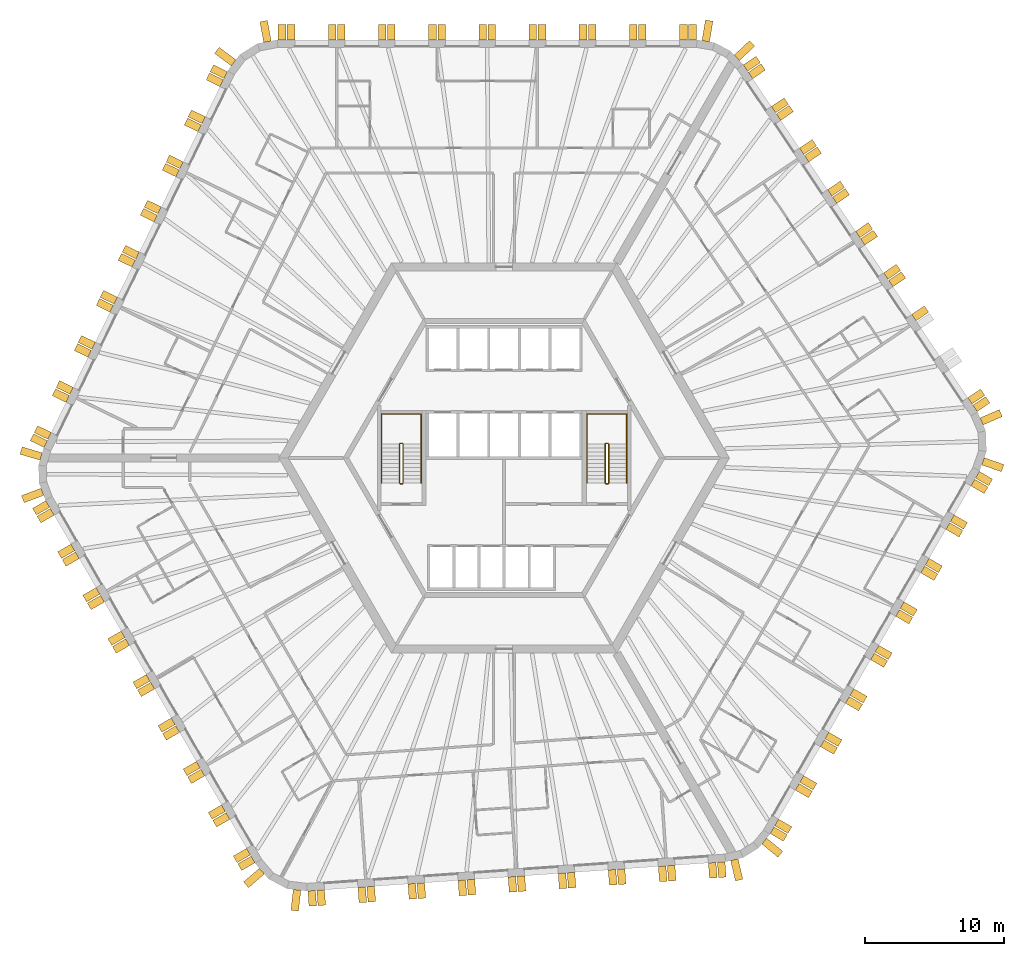
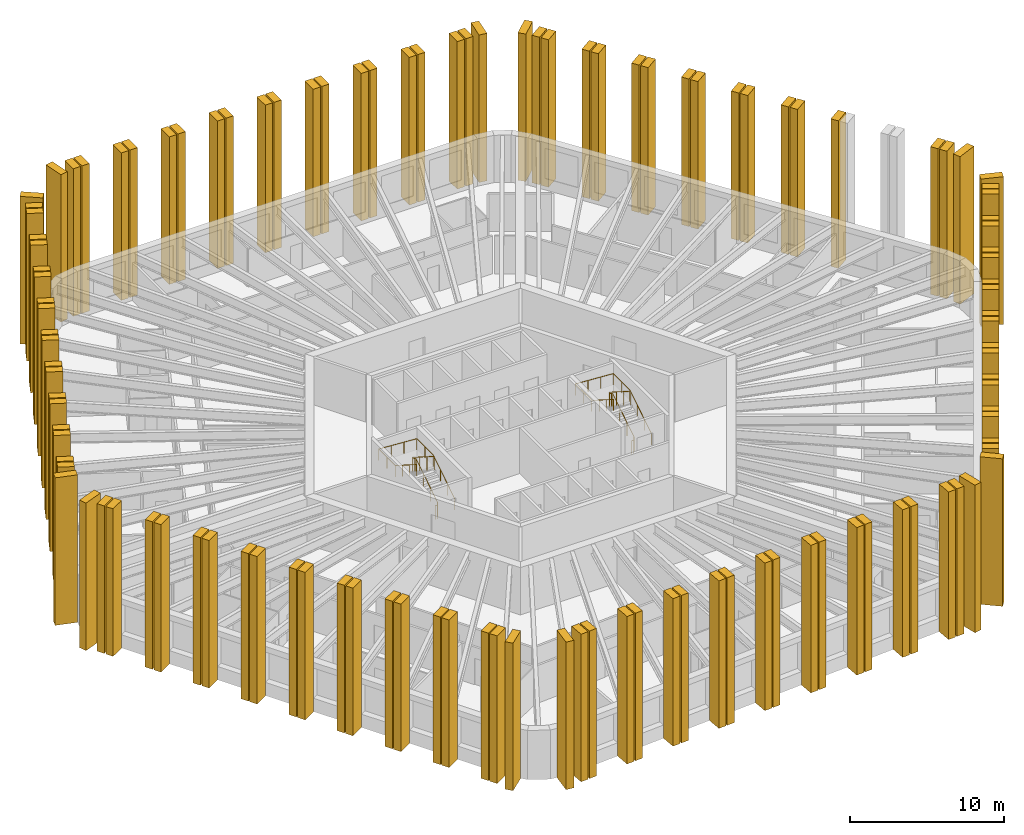
# One storey, part 11 of 12: 117 shading devices, 4 railings.
"""IFC4 building model written with IfcOpenShell, lengths in metres."""

from ifc_helpers import new_model, si_unit, direction, frame, origin, origin_2d, place, context, subcontext, project, spatial, polyline, circle, outline, extrude, material, layer, layer_set, type_object, element, save


model = new_model("IFC4")

# Units and contexts
model_context = context("Model", 3, precision=1e-05, world=origin(), true_north=direction((0.0, 1.0)))
body_context = subcontext(model_context, "Body", "Model", "MODEL_VIEW")
ifc_project = project(units=[si_unit("LENGTHUNIT", "METRE"), si_unit("AREAUNIT", "SQUARE_METRE"), si_unit("VOLUMEUNIT", "CUBIC_METRE"), si_unit("PLANEANGLEUNIT", "RADIAN"), si_unit("MASSUNIT", "GRAM", prefix="KILO")], contexts=[model_context])

# Site, building, storey
site_placement = place(None, origin())
site = spatial("IfcSite", under=ifc_project, at=site_placement, CompositionType="ELEMENT")
building_placement = place(site_placement, origin())
building = spatial("IfcBuilding", under=site, at=building_placement, Name="Tarnside Tower", CompositionType="ELEMENT")
storey_placement = place(building_placement, frame((0.0, 0.0, 99.89990234375)))
storey = spatial("IfcBuildingStorey", under=building, at=storey_placement, Name="L22", CompositionType="ELEMENT", Elevation=99.89990234375)

# Shading devices
ifc_material_1 = material(Name="Concrete C50/60 white precast", Category="concrete")
ifc_layer_1 = layer(ifc_material_1, 0.550048828125)
ifc_layer_set_1 = layer_set([ifc_layer_1], Name="Precast fin 550 x 1100")
shading_device_type_1 = type_object("IfcShadingDeviceType", Name="Precast fin 550 x 1100", PredefinedType="USERDEFINED", material=ifc_layer_set_1)
for number, where, z_axis, x_axis, name in (
    (1, (13.513916015625, 30.0, -0.14990234375), (1.0, 0.0, 0.0), (0.0, 1.0, 0.0), "Precast fin"),
    (2, (12.864013671875, 30.0, -0.14990234375), (1.0, 0.0, 0.0), (0.0, 1.0, 0.0), "Precast fin"),
    (3, (9.9140625, 30.0, -0.14990234375), (1.0, 0.0, 0.0), (0.0, 1.0, 0.0), "Precast fin"),
    (4, (9.263916015625, 30.0, -0.14990234375), (1.0, 0.0, 0.0), (0.0, 1.0, 0.0), "Precast fin"),
    (5, (6.31396484375, 30.0, -0.14990234375), (1.0, 0.0, 0.0), (0.0, 1.0, 0.0), "Precast fin"),
    (6, (5.6640625, 30.0, -0.14990234375), (1.0, 0.0, 0.0), (0.0, 1.0, 0.0), "Precast fin"),
    (7, (2.7138671875, 30.0, -0.14990234375), (1.0, 0.0, 0.0), (0.0, 1.0, 0.0), "Precast fin"),
    (8, (2.06396484375, 30.0, -0.14990234375), (1.0, 0.0, 0.0), (0.0, 1.0, 0.0), "Precast fin"),
    (9, (-0.885986328125, 30.0, -0.14990234375), (1.0, 0.0, 0.0), (0.0, 1.0, 0.0), "Precast fin"),
    (10, (-1.5361328125, 30.0, -0.14990234375), (1.0, 0.0, 0.0), (0.0, 1.0, 0.0), "Precast fin"),
    (11, (-4.486083984375, 30.0, -0.14990234375), (1.0, 0.0, 0.0), (0.0, 1.0, 0.0), "Precast fin"),
    (12, (-5.135986328125, 30.0, -0.14990234375), (1.0, 0.0, 0.0), (0.0, 1.0, 0.0), "Precast fin"),
    (13, (-8.0859375, 30.0, -0.14990234375), (1.0, 0.0, 0.0), (0.0, 1.0, 0.0), "Precast fin"),
    (14, (-8.736083984375, 30.0, -0.14990234375), (1.0, 0.0, 0.0), (0.0, 1.0, 0.0), "Precast fin"),
    (15, (-11.68603515625, 30.0, -0.14990234375), (1.0, 0.0, 0.0), (0.0, 1.0, 0.0), "Precast fin"),
    (16, (-12.3359375, 30.0, -0.14990234375), (1.0, 0.0, 0.0), (0.0, 1.0, 0.0), "Precast fin"),
    (17, (-15.2861328125, 30.0, -0.14990234375), (1.0, 0.0, 0.0), (0.0, 1.0, 0.0), "Precast fin"),
    (18, (-15.93603515625, 30.0, -0.14990234375), (1.0, 0.0, 0.0), (0.0, 1.0, 0.0), "Precast fin"),
    (19, (-19.977783203125, 27.474365234375, -0.14990234375), (0.438371146789, 0.898794046299, 0.0), (-0.898794046299, 0.438371146789, 0.0), "Precast fin"),
    (20, (-20.262939453125, 26.89013671875, -0.14990234375), (0.438371146789, 0.898794046299, 0.0), (-0.898794046299, 0.438371146789, 0.0), "Precast fin"),
    (21, (-21.555908203125, 24.23876953125, -0.14990234375), (0.438371146789, 0.898794046299, 0.0), (-0.898794046299, 0.438371146789, 0.0), "Precast fin"),
    (22, (-21.841064453125, 23.654541015625, -0.14990234375), (0.438371146789, 0.898794046299, 0.0), (-0.898794046299, 0.438371146789, 0.0), "Precast fin"),
    (23, (-23.13427734375, 21.003173828125, -0.14990234375), (0.438371146789, 0.898794046299, 0.0), (-0.898794046299, 0.438371146789, 0.0), "Precast fin"),
    (24, (-23.419189453125, 20.4189453125, -0.14990234375), (0.438371146789, 0.898794046299, 0.0), (-0.898794046299, 0.438371146789, 0.0), "Precast fin"),
    (25, (-24.71240234375, 17.767333984375, -0.14990234375), (0.438371146789, 0.898794046299, 0.0), (-0.898794046299, 0.438371146789, 0.0), "Precast fin"),
    (26, (-24.997314453125, 17.18310546875, -0.14990234375), (0.438371146789, 0.898794046299, 0.0), (-0.898794046299, 0.438371146789, 0.0), "Precast fin"),
    (27, (-26.29052734375, 14.53173828125, -0.14990234375), (0.438371146789, 0.898794046299, 0.0), (-0.898794046299, 0.438371146789, 0.0), "Precast fin"),
    (28, (-26.575439453125, 13.947509765625, -0.14990234375), (0.438371146789, 0.898794046299, 0.0), (-0.898794046299, 0.438371146789, 0.0), "Precast fin"),
    (29, (-27.86865234375, 11.296142578125, -0.14990234375), (0.438371146789, 0.898794046299, 0.0), (-0.898794046299, 0.438371146789, 0.0), "Precast fin"),
    (30, (-28.153564453125, 10.7119140625, -0.14990234375), (0.438371146789, 0.898794046299, 0.0), (-0.898794046299, 0.438371146789, 0.0), "Precast fin"),
    (31, (-29.44677734375, 8.060546875, -0.14990234375), (0.438371146789, 0.898794046299, 0.0), (-0.898794046299, 0.438371146789, 0.0), "Precast fin"),
    (32, (-29.731689453125, 7.476318359375, -0.14990234375), (0.438371146789, 0.898794046299, 0.0), (-0.898794046299, 0.438371146789, 0.0), "Precast fin"),
    (33, (-31.02490234375, 4.82470703125, -0.14990234375), (0.438371146789, 0.898794046299, 0.0), (-0.898794046299, 0.438371146789, 0.0), "Precast fin"),
    (34, (-31.309814453125, 4.240478515625, -0.14990234375), (0.438371146789, 0.898794046299, 0.0), (-0.898794046299, 0.438371146789, 0.0), "Precast fin"),
    (35, (-32.60302734375, 1.589111328125, -0.14990234375), (0.438371146789, 0.898794046299, 0.0), (-0.898794046299, 0.438371146789, 0.0), "Precast fin"),
    (36, (-32.887939453125, 1.0048828125, -0.14990234375), (0.438371146789, 0.898794046299, 0.0), (-0.898794046299, 0.438371146789, 0.0), "Precast fin"),
    (37, (-32.73779296875, -3.296630859375, -0.14990234375), (-0.5, 0.866025403784, 0.0), (-0.866025403784, -0.5, 0.0), "Precast fin"),
    (38, (-32.412841796875, -3.859375, -0.14990234375), (-0.5, 0.866025403784, 0.0), (-0.866025403784, -0.5, 0.0), "Precast fin"),
    (39, (-30.937744140625, -6.414306640625, -0.14990234375), (-0.5, 0.866025403784, 0.0), (-0.866025403784, -0.5, 0.0), "Precast fin"),
    (40, (-30.61279296875, -6.977294921875, -0.14990234375), (-0.5, 0.866025403784, 0.0), (-0.866025403784, -0.5, 0.0), "Precast fin"),
    (41, (-29.1376953125, -9.531982421875, -0.14990234375), (-0.5, 0.866025403784, 0.0), (-0.866025403784, -0.5, 0.0), "Precast fin"),
    (42, (-28.812744140625, -10.094970703125, -0.14990234375), (-0.5, 0.866025403784, 0.0), (-0.866025403784, -0.5, 0.0), "Precast fin"),
    (43, (-27.337646484375, -12.649658203125, -0.14990234375), (-0.5, 0.866025403784, 0.0), (-0.866025403784, -0.5, 0.0), "Precast fin"),
    (44, (-27.0126953125, -13.212646484375, -0.14990234375), (-0.5, 0.866025403784, 0.0), (-0.866025403784, -0.5, 0.0), "Precast fin"),
    (45, (-25.537841796875, -15.767333984375, -0.14990234375), (-0.5, 0.866025403784, 0.0), (-0.866025403784, -0.5, 0.0), "Precast fin"),
    (46, (-25.212646484375, -16.330322265625, -0.14990234375), (-0.5, 0.866025403784, 0.0), (-0.866025403784, -0.5, 0.0), "Precast fin"),
    (47, (-23.73779296875, -18.885009765625, -0.14990234375), (-0.5, 0.866025403784, 0.0), (-0.866025403784, -0.5, 0.0), "Precast fin"),
    (48, (-23.412841796875, -19.447998046875, -0.14990234375), (-0.5, 0.866025403784, 0.0), (-0.866025403784, -0.5, 0.0), "Precast fin"),
    (49, (-21.937744140625, -22.002685546875, -0.14990234375), (-0.5, 0.866025403784, 0.0), (-0.866025403784, -0.5, 0.0), "Precast fin"),
    (50, (-21.61279296875, -22.565673828125, -0.14990234375), (-0.5, 0.866025403784, 0.0), (-0.866025403784, -0.5, 0.0), "Precast fin"),
    (51, (-20.1376953125, -25.120361328125, -0.14990234375), (-0.5, 0.866025403784, 0.0), (-0.866025403784, -0.5, 0.0), "Precast fin"),
    (52, (-19.812744140625, -25.683349609375, -0.14990234375), (-0.5, 0.866025403784, 0.0), (-0.866025403784, -0.5, 0.0), "Precast fin"),
    (53, (-18.337646484375, -28.238037109375, -0.14990234375), (-0.5, 0.866025403784, 0.0), (-0.866025403784, -0.5, 0.0), "Precast fin"),
    (54, (-18.0126953125, -28.801025390625, -0.14990234375), (-0.5, 0.866025403784, 0.0), (-0.866025403784, -0.5, 0.0), "Precast fin"),
    (55, (-13.8046875, -31.03857421875, -0.14990234375), (-0.99756405026, -0.069756473744, 0.0), (0.069756473744, -0.99756405026, 0.0), "Precast fin"),
    (56, (-13.15625, -30.9931640625, -0.14990234375), (-0.99756405026, -0.069756473744, 0.0), (0.069756473744, -0.99756405026, 0.0), "Precast fin"),
    (57, (-10.21337890625, -30.787353515625, -0.14990234375), (-0.99756405026, -0.069756473744, 0.0), (0.069756473744, -0.99756405026, 0.0), "Precast fin"),
    (58, (-9.56494140625, -30.7421875, -0.14990234375), (-0.99756405026, -0.069756473744, 0.0), (0.069756473744, -0.99756405026, 0.0), "Precast fin"),
    (59, (-6.6220703125, -30.536376953125, -0.14990234375), (-0.99756405026, -0.069756473744, 0.0), (0.069756473744, -0.99756405026, 0.0), "Precast fin"),
    (60, (-5.9736328125, -30.490966796875, -0.14990234375), (-0.99756405026, -0.069756473744, 0.0), (0.069756473744, -0.99756405026, 0.0), "Precast fin"),
    (61, (-3.031005859375, -30.28515625, -0.14990234375), (-0.99756405026, -0.069756473744, 0.0), (0.069756473744, -0.99756405026, 0.0), "Precast fin"),
    (62, (-2.382568359375, -30.23974609375, -0.14990234375), (-0.99756405026, -0.069756473744, 0.0), (0.069756473744, -0.99756405026, 0.0), "Precast fin"),
    (63, (0.560302734375, -30.0341796875, -0.14990234375), (-0.99756405026, -0.069756473744, 0.0), (0.069756473744, -0.99756405026, 0.0), "Precast fin"),
    (64, (1.208740234375, -29.98876953125, -0.14990234375), (-0.99756405026, -0.069756473744, 0.0), (0.069756473744, -0.99756405026, 0.0), "Precast fin"),
    (65, (4.151611328125, -29.782958984375, -0.14990234375), (-0.99756405026, -0.069756473744, 0.0), (0.069756473744, -0.99756405026, 0.0), "Precast fin"),
    (66, (4.800048828125, -29.737548828125, -0.14990234375), (-0.99756405026, -0.069756473744, 0.0), (0.069756473744, -0.99756405026, 0.0), "Precast fin"),
    (67, (7.74267578125, -29.53173828125, -0.14990234375), (-0.99756405026, -0.069756473744, 0.0), (0.069756473744, -0.99756405026, 0.0), "Precast fin"),
    (68, (8.39111328125, -29.486572265625, -0.14990234375), (-0.99756405026, -0.069756473744, 0.0), (0.069756473744, -0.99756405026, 0.0), "Precast fin"),
    (69, (11.333984375, -29.28076171875, -0.14990234375), (-0.99756405026, -0.069756473744, 0.0), (0.069756473744, -0.99756405026, 0.0), "Precast fin"),
    (70, (11.982421875, -29.2353515625, -0.14990234375), (-0.99756405026, -0.069756473744, 0.0), (0.069756473744, -0.99756405026, 0.0), "Precast fin"),
    (71, (14.92529296875, -29.029541015625, -0.14990234375), (-0.99756405026, -0.069756473744, 0.0), (0.069756473744, -0.99756405026, 0.0), "Precast fin"),
    (72, (15.57373046875, -28.984130859375, -0.14990234375), (-0.99756405026, -0.069756473744, 0.0), (0.069756473744, -0.99756405026, 0.0), "Precast fin"),
    (73, (19.223876953125, -26.703369140625, -0.14990234375), (-0.5, -0.866025403784, 0.0), (0.866025403784, -0.5, 0.0), "Precast fin"),
    (74, (19.548828125, -26.140625, -0.14990234375), (-0.5, -0.866025403784, 0.0), (0.866025403784, -0.5, 0.0), "Precast fin"),
    (75, (21.023681640625, -23.585693359375, -0.14990234375), (-0.5, -0.866025403784, 0.0), (0.866025403784, -0.5, 0.0), "Precast fin"),
    (76, (21.348876953125, -23.022705078125, -0.14990234375), (-0.5, -0.866025403784, 0.0), (0.866025403784, -0.5, 0.0), "Precast fin"),
    (77, (22.82373046875, -20.468017578125, -0.14990234375), (-0.5, -0.866025403784, 0.0), (0.866025403784, -0.5, 0.0), "Precast fin"),
    (78, (23.148681640625, -19.905029296875, -0.14990234375), (-0.5, -0.866025403784, 0.0), (0.866025403784, -0.5, 0.0), "Precast fin"),
    (79, (24.623779296875, -17.350341796875, -0.14990234375), (-0.5, -0.866025403784, 0.0), (0.866025403784, -0.5, 0.0), "Precast fin"),
    (80, (24.94873046875, -16.787353515625, -0.14990234375), (-0.5, -0.866025403784, 0.0), (0.866025403784, -0.5, 0.0), "Precast fin"),
    (81, (26.423828125, -14.232666015625, -0.14990234375), (-0.5, -0.866025403784, 0.0), (0.866025403784, -0.5, 0.0), "Precast fin"),
    (82, (26.748779296875, -13.669677734375, -0.14990234375), (-0.5, -0.866025403784, 0.0), (0.866025403784, -0.5, 0.0), "Precast fin"),
    (83, (28.223876953125, -11.114990234375, -0.14990234375), (-0.5, -0.866025403784, 0.0), (0.866025403784, -0.5, 0.0), "Precast fin"),
    (84, (28.548828125, -10.552001953125, -0.14990234375), (-0.5, -0.866025403784, 0.0), (0.866025403784, -0.5, 0.0), "Precast fin"),
    (85, (30.023681640625, -7.997314453125, -0.14990234375), (-0.5, -0.866025403784, 0.0), (0.866025403784, -0.5, 0.0), "Precast fin"),
    (86, (30.348876953125, -7.434326171875, -0.14990234375), (-0.5, -0.866025403784, 0.0), (0.866025403784, -0.5, 0.0), "Precast fin"),
    (87, (31.82373046875, -4.879638671875, -0.14990234375), (-0.5, -0.866025403784, 0.0), (0.866025403784, -0.5, 0.0), "Precast fin"),
    (88, (32.148681640625, -4.316650390625, -0.14990234375), (-0.5, -0.866025403784, 0.0), (0.866025403784, -0.5, 0.0), "Precast fin"),
    (89, (33.623779296875, -1.761962890625, -0.14990234375), (-0.5, -0.866025403784, 0.0), (0.866025403784, -0.5, 0.0), "Precast fin"),
    (90, (33.94873046875, -1.198974609375, -0.14990234375), (-0.5, -0.866025403784, 0.0), (0.866025403784, -0.5, 0.0), "Precast fin"),
    (91, (33.782470703125, 3.564208984375, -0.14990234375), (0.559192903471, -0.829037572555, 0.0), (0.829037572555, 0.559192903471, 0.0), "Precast fin"),
    (92, (33.4189453125, 4.10302734375, -0.14990234375), (0.559192903471, -0.829037572555, 0.0), (0.829037572555, 0.559192903471, 0.0), "Precast fin"),
    (93, (29.392822265625, 10.072021484375, -0.14990234375), (0.559192903471, -0.829037572555, 0.0), (0.829037572555, 0.559192903471, 0.0), "Precast fin"),
    (94, (27.7431640625, 12.517822265625, -0.14990234375), (0.559192903471, -0.829037572555, 0.0), (0.829037572555, 0.559192903471, 0.0), "Precast fin"),
    (95, (27.379638671875, 13.056640625, -0.14990234375), (0.559192903471, -0.829037572555, 0.0), (0.829037572555, 0.559192903471, 0.0), "Precast fin"),
    (96, (25.730224609375, 15.502197265625, -0.14990234375), (0.559192903471, -0.829037572555, 0.0), (0.829037572555, 0.559192903471, 0.0), "Precast fin"),
    (97, (25.36669921875, 16.041259765625, -0.14990234375), (0.559192903471, -0.829037572555, 0.0), (0.829037572555, 0.559192903471, 0.0), "Precast fin"),
    (98, (23.717041015625, 18.48681640625, -0.14990234375), (0.559192903471, -0.829037572555, 0.0), (0.829037572555, 0.559192903471, 0.0), "Precast fin"),
    (99, (23.353515625, 19.025634765625, -0.14990234375), (0.559192903471, -0.829037572555, 0.0), (0.829037572555, 0.559192903471, 0.0), "Precast fin"),
    (100, (21.703857421875, 21.471435546875, -0.14990234375), (0.559192903471, -0.829037572555, 0.0), (0.829037572555, 0.559192903471, 0.0), "Precast fin"),
    (101, (21.34033203125, 22.01025390625, -0.14990234375), (0.559192903471, -0.829037572555, 0.0), (0.829037572555, 0.559192903471, 0.0), "Precast fin"),
    (102, (19.69091796875, 24.455810546875, -0.14990234375), (0.559192903471, -0.829037572555, 0.0), (0.829037572555, 0.559192903471, 0.0), "Precast fin"),
    (103, (19.327392578125, 24.994873046875, -0.14990234375), (0.559192903471, -0.829037572555, 0.0), (0.829037572555, 0.559192903471, 0.0), "Precast fin"),
    (104, (17.677734375, 27.4404296875, -0.14990234375), (0.559192903471, -0.829037572555, 0.0), (0.829037572555, 0.559192903471, 0.0), "Precast fin"),
    (105, (17.314208984375, 27.979248046875, -0.14990234375), (0.559192903471, -0.829037572555, 0.0), (0.829037572555, 0.559192903471, 0.0), "Precast fin"),
):
    element("IfcShadingDevice", number, at=place(storey_placement, frame(where, z_axis=z_axis, x_axis=x_axis)), inside=storey, type_object=shading_device_type_1, Name=name, ObjectType="FIN", PredefinedType="USERDEFINED", context=body_context, shape_type="SweptSolid", body=[
        extrude(outline(polyline([(0.0, 0.0), (1.10009765625, 0.0), (1.10009765625, 11.699951171875), (0.0, 11.699951171875), (0.0, 0.0)])), frame((0.0, 0.0, -0.27490234375)), (0.0, 0.0, 1.0), 0.550048828125),
    ])
ifc_layer_2 = layer(ifc_material_1, 0.550048828125)
ifc_layer_set_2 = layer_set([ifc_layer_2], Name="Precast fin 550 x 1500")
shading_device_type_2 = type_object("IfcShadingDeviceType", Name="Precast fin 550 x 1500", PredefinedType="USERDEFINED", material=ifc_layer_set_2)
for number, where, z_axis, x_axis, name in (
    (106, (-16.97509765625, 29.86767578125, -0.14990234375), (0.982720646705, 0.18509492305, 0.0), (-0.18509492305, 0.982720646705, 0.0), "Precast fin"),
    (107, (-19.403564453125, 28.35009765625, -0.14990234375), (0.597158591707, 0.802123192752, 0.0), (-0.802123192752, 0.597158591707, 0.0), "Precast fin"),
    (108, (-33.213623046875, 0.10546875, -0.14990234375), (0.286803232717, 0.957989512314, 0.0), (-0.957989512314, 0.286803232717, 0.0), "Precast fin"),
    (109, (-33.125244140625, -2.422119140625, -0.14990234375), (-0.352930564719, 0.935649515837, 0.0), (-0.935649515837, -0.352930564719, 0.0), "Precast fin"),
    (110, (-17.378662109375, -29.634765625, -0.14990234375), (-0.651657228826, 0.758513583345, 0.0), (-0.758513583345, -0.651657228826, 0.0), "Precast fin"),
    (111, (-14.850341796875, -30.97900390625, -0.14990234375), (-0.993238357741, 0.116092914131, 0.0), (-0.116092914131, -0.993238357741, 0.0), "Precast fin"),
    (112, (16.515625, -28.81640625, -0.14990234375), (-0.973044870581, -0.230615870737, 0.0), (0.230615870737, -0.973044870581, 0.0), "Precast fin"),
    (113, (18.66015625, -27.476318359375, -0.14990234375), (-0.633830967394, -0.773471592738, 0.0), (0.773471592738, -0.633830967394, 0.0), "Precast fin"),
    (114, (34.353759765625, -0.23291015625, -0.14990234375), (-0.331063417879, -0.943608506396, 0.0), (0.943608506396, -0.331063417879, 0.0), "Precast fin"),
    (115, (34.253662109375, 2.62890625, -0.14990234375), (0.396079766034, -0.918216106883, 0.0), (0.918216106883, 0.396079766034, 0.0), "Precast fin"),
    (116, (16.697998046875, 28.711181640625, -0.14990234375), (0.686241637865, -0.727373641577, 0.0), (0.727373641577, 0.686241637865, 0.0), "Precast fin"),
    (117, (14.465087890625, 29.8984375, -0.14990234375), (0.986761532114, -0.1621779231, 0.0), (0.1621779231, 0.986761532114, 0.0), "Precast fin"),
):
    element("IfcShadingDevice", number, at=place(storey_placement, frame(where, z_axis=z_axis, x_axis=x_axis)), inside=storey, type_object=shading_device_type_2, Name=name, ObjectType="FIN", PredefinedType="USERDEFINED", context=body_context, shape_type="SweptSolid", body=[
        extrude(outline(polyline([(0.0, 0.0), (1.5, 0.0), (1.5, 11.699951171875), (0.0, 11.699951171875), (0.0, 0.0)])), frame((0.0, 0.0, -0.27490234375)), (0.0, 0.0, 1.0), 0.550048828125),
    ])

# Railings
ifc_material_2 = material(Name="Stainless steel", Category="steel")
railing_type_1 = type_object("IfcRailingType", Name="Stair guard 1100", PredefinedType="GUARDRAIL", material=ifc_material_2)
railing_1_placement = place(storey_placement, frame((7.300048828125, -1.85009765625, 0.0)))
element("IfcRailing", 118, at=railing_1_placement, inside=storey, type_object=railing_type_1, Name="L22 ST1 stair guard 1", PredefinedType="GUARDRAIL", context=body_context, shape_type="SweptSolid", body=[
    extrude(circle(Radius=0.02392578125, at=origin_2d()), frame((0.0, 0.0, 1.076171875), z_axis=(1.0, 0.0, 0.0), x_axis=(0.0, 1.0, 0.0)), (0.0, 0.0, 1.0), 0.14990234375),
    extrude(circle(Radius=0.02392578125, at=origin_2d()), frame((0.14990234375, 0.0, 1.076171875), z_axis=(0.261922500866, 0.261922500866, 0.928866625022), x_axis=(-0.707106781187, 0.707106781187, 0.0)), (0.0, 0.0, 1.0), 0.191162109375),
    extrude(circle(Radius=0.02392578125, at=origin_2d()), frame((0.199951171875, 0.050048828125, 1.25341796875), z_axis=(0.0, 0.844908973607, 0.534910110503), x_axis=(-1.0, 0.0, 0.0)), (0.0, 0.0, 1.0), 3.31396484375),
    extrude(circle(Radius=0.02392578125, at=origin_2d()), frame((0.199951171875, 2.85009765625, 3.0263671875), z_axis=(-0.707106781187, 0.707106781187, 0.0), x_axis=(-0.707106781187, -0.707106781187, 0.0)), (0.0, 0.0, 1.0), 0.07080078125),
    extrude(circle(Radius=0.02392578125, at=origin_2d()), frame((0.14990234375, 2.900146484375, 3.0263671875), z_axis=(-1.0, 0.0, 0.0), x_axis=(0.0, -1.0, 0.0)), (0.0, 0.0, 1.0), 0.14990234375),
    extrude(circle(Radius=0.02392578125, at=origin_2d()), frame((0.0, 2.900146484375, 3.0263671875), z_axis=(-0.262233686654, -0.262233686654, 0.928691007369), x_axis=(0.707106781187, -0.707106781187, 0.0)), (0.0, 0.0, 1.0), 0.19091796875),
    extrude(circle(Radius=0.02392578125, at=origin_2d()), frame((-0.050048828125, 2.85009765625, 3.20361328125), z_axis=(0.0, -0.844908973607, 0.534910110503), x_axis=(1.0, 0.0, 0.0)), (0.0, 0.0, 1.0), 3.31396484375),
    extrude(circle(Radius=0.02099609375, at=origin_2d()), origin(), (0.0, 0.0, 1.0), 1.052001953125),
    extrude(circle(Radius=0.02099609375, at=origin_2d()), frame((0.14990234375, 0.0, 0.0)), (0.0, 0.0, 1.0), 1.052001953125),
    extrude(circle(Radius=0.02099609375, at=origin_2d()), frame((0.199951171875, 0.050048828125, 0.177490234375)), (0.0, 0.0, 1.0), 1.052001953125),
    extrude(circle(Radius=0.02099609375, at=origin_2d()), frame((0.199951171875, 0.9833984375, 0.768310546875)), (0.0, 0.0, 1.0), 1.052001953125),
    extrude(circle(Radius=0.02099609375, at=origin_2d()), frame((0.199951171875, 1.916748046875, 1.359375)), (0.0, 0.0, 1.0), 1.052001953125),
    extrude(circle(Radius=0.02099609375, at=origin_2d()), frame((0.199951171875, 2.85009765625, 1.9501953125)), (0.0, 0.0, 1.0), 1.052001953125),
    extrude(circle(Radius=0.02099609375, at=origin_2d()), frame((0.14990234375, 2.900146484375, 1.9501953125)), (0.0, 0.0, 1.0), 1.052001953125),
    extrude(circle(Radius=0.02099609375, at=origin_2d()), frame((0.0, 2.900146484375, 1.9501953125)), (0.0, 0.0, 1.0), 1.052001953125),
    extrude(circle(Radius=0.02099609375, at=origin_2d()), frame((-0.050048828125, 2.85009765625, 2.12744140625)), (0.0, 0.0, 1.0), 1.052001953125),
    extrude(circle(Radius=0.02099609375, at=origin_2d()), frame((-0.050048828125, 1.916748046875, 2.71826171875)), (0.0, 0.0, 1.0), 1.052001953125),
    extrude(circle(Radius=0.02099609375, at=origin_2d()), frame((-0.050048828125, 0.9833984375, 3.309326171875)), (0.0, 0.0, 1.0), 1.052001953125),
    extrude(circle(Radius=0.02099609375, at=origin_2d()), frame((-0.050048828125, 0.050048828125, 3.900146484375)), (0.0, 0.0, 1.0), 1.052001953125),
])
railing_2_placement = place(storey_placement, frame((-7.449951171875, -1.85009765625, 0.0)))
element("IfcRailing", 119, at=railing_2_placement, inside=storey, type_object=railing_type_1, Name="L22 ST2 stair guard 1", PredefinedType="GUARDRAIL", context=body_context, shape_type="SweptSolid", body=[
    extrude(circle(Radius=0.02392578125, at=origin_2d()), frame((0.0, 0.0, 1.076171875), z_axis=(1.0, 0.0, 0.0), x_axis=(0.0, 1.0, 0.0)), (0.0, 0.0, 1.0), 0.14990234375),
    extrude(circle(Radius=0.02392578125, at=origin_2d()), frame((0.14990234375, 0.0, 1.076171875), z_axis=(0.261922500866, 0.261922500866, 0.928866625022), x_axis=(-0.707106781187, 0.707106781187, 0.0)), (0.0, 0.0, 1.0), 0.191162109375),
    extrude(circle(Radius=0.02392578125, at=origin_2d()), frame((0.199951171875, 0.050048828125, 1.25341796875), z_axis=(0.0, 0.844908973607, 0.534910110503), x_axis=(-1.0, 0.0, 0.0)), (0.0, 0.0, 1.0), 3.31396484375),
    extrude(circle(Radius=0.02392578125, at=origin_2d()), frame((0.199951171875, 2.85009765625, 3.0263671875), z_axis=(-0.707106781187, 0.707106781187, 0.0), x_axis=(-0.707106781187, -0.707106781187, 0.0)), (0.0, 0.0, 1.0), 0.07080078125),
    extrude(circle(Radius=0.02392578125, at=origin_2d()), frame((0.14990234375, 2.900146484375, 3.0263671875), z_axis=(-1.0, 0.0, 0.0), x_axis=(0.0, -1.0, 0.0)), (0.0, 0.0, 1.0), 0.14990234375),
    extrude(circle(Radius=0.02392578125, at=origin_2d()), frame((0.0, 2.900146484375, 3.0263671875), z_axis=(-0.262233686654, -0.262233686654, 0.928691007369), x_axis=(0.707106781187, -0.707106781187, 0.0)), (0.0, 0.0, 1.0), 0.19091796875),
    extrude(circle(Radius=0.02392578125, at=origin_2d()), frame((-0.050048828125, 2.85009765625, 3.20361328125), z_axis=(0.0, -0.844908973607, 0.534910110503), x_axis=(1.0, 0.0, 0.0)), (0.0, 0.0, 1.0), 3.31396484375),
    extrude(circle(Radius=0.02099609375, at=origin_2d()), origin(), (0.0, 0.0, 1.0), 1.052001953125),
    extrude(circle(Radius=0.02099609375, at=origin_2d()), frame((0.14990234375, 0.0, 0.0)), (0.0, 0.0, 1.0), 1.052001953125),
    extrude(circle(Radius=0.02099609375, at=origin_2d()), frame((0.199951171875, 0.050048828125, 0.177490234375)), (0.0, 0.0, 1.0), 1.052001953125),
    extrude(circle(Radius=0.02099609375, at=origin_2d()), frame((0.199951171875, 0.9833984375, 0.768310546875)), (0.0, 0.0, 1.0), 1.052001953125),
    extrude(circle(Radius=0.02099609375, at=origin_2d()), frame((0.199951171875, 1.916748046875, 1.359375)), (0.0, 0.0, 1.0), 1.052001953125),
    extrude(circle(Radius=0.02099609375, at=origin_2d()), frame((0.199951171875, 2.85009765625, 1.9501953125)), (0.0, 0.0, 1.0), 1.052001953125),
    extrude(circle(Radius=0.02099609375, at=origin_2d()), frame((0.14990234375, 2.900146484375, 1.9501953125)), (0.0, 0.0, 1.0), 1.052001953125),
    extrude(circle(Radius=0.02099609375, at=origin_2d()), frame((0.0, 2.900146484375, 1.9501953125)), (0.0, 0.0, 1.0), 1.052001953125),
    extrude(circle(Radius=0.02099609375, at=origin_2d()), frame((-0.050048828125, 2.85009765625, 2.12744140625)), (0.0, 0.0, 1.0), 1.052001953125),
    extrude(circle(Radius=0.02099609375, at=origin_2d()), frame((-0.050048828125, 1.916748046875, 2.71826171875)), (0.0, 0.0, 1.0), 1.052001953125),
    extrude(circle(Radius=0.02099609375, at=origin_2d()), frame((-0.050048828125, 0.9833984375, 3.309326171875)), (0.0, 0.0, 1.0), 1.052001953125),
    extrude(circle(Radius=0.02099609375, at=origin_2d()), frame((-0.050048828125, 0.050048828125, 3.900146484375)), (0.0, 0.0, 1.0), 1.052001953125),
])
railing_type_2 = type_object("IfcRailingType", Name="Stair handrail 900", PredefinedType="HANDRAIL", material=ifc_material_2)
railing_3_placement = place(storey_placement, frame((8.800048828125, -1.800048828125, 0.177490234375)))
element("IfcRailing", 120, at=railing_3_placement, inside=storey, type_object=railing_type_2, Name="L22 ST1 stair handrail 1", PredefinedType="HANDRAIL", context=body_context, shape_type="SweptSolid", body=[
    extrude(circle(Radius=0.02392578125, at=origin_2d()), frame((0.0, 0.0, 0.8857421875), z_axis=(0.0, 0.844908973607, 0.534910110503), x_axis=(-1.0, 0.0, 0.0)), (0.0, 0.0, 1.0), 3.31396484375),
    extrude(circle(Radius=0.02392578125, at=origin_2d()), frame((0.0, 2.800048828125, 2.65869140625), z_axis=(0.0, 1.0, 0.0), x_axis=(-1.0, 0.0, 0.0)), (0.0, 0.0, 1.0), 2.14990234375),
    extrude(circle(Radius=0.02392578125, at=origin_2d()), frame((0.0, 4.949951171875, 2.65869140625), z_axis=(-0.998071825391, 0.0, 0.06206956872), x_axis=(0.0, -1.0, 0.0)), (0.0, 0.0, 1.0), 2.855712890625),
    extrude(circle(Radius=0.02392578125, at=origin_2d()), frame((-2.85009765625, 4.949951171875, 2.8359375), z_axis=(0.0, -1.0, 0.0), x_axis=(1.0, 0.0, 0.0)), (0.0, 0.0, 1.0), 2.14990234375),
    extrude(circle(Radius=0.02392578125, at=origin_2d()), frame((-2.85009765625, 2.800048828125, 2.8359375), z_axis=(0.0, -0.844908973607, 0.534910110503), x_axis=(1.0, 0.0, 0.0)), (0.0, 0.0, 1.0), 3.31396484375),
    extrude(circle(Radius=0.02099609375, at=origin_2d()), origin(), (0.0, 0.0, 1.0), 0.86181640625),
    extrude(circle(Radius=0.02099609375, at=origin_2d()), frame((0.0, 0.933349609375, 0.5908203125)), (0.0, 0.0, 1.0), 0.86181640625),
    extrude(circle(Radius=0.02099609375, at=origin_2d()), frame((0.0, 1.86669921875, 1.181884765625)), (0.0, 0.0, 1.0), 0.86181640625),
    extrude(circle(Radius=0.02099609375, at=origin_2d()), frame((0.0, 2.800048828125, 1.772705078125)), (0.0, 0.0, 1.0), 0.86181640625),
    extrude(circle(Radius=0.02099609375, at=origin_2d()), frame((0.0, 3.875, 1.772705078125)), (0.0, 0.0, 1.0), 0.86181640625),
    extrude(circle(Radius=0.02099609375, at=origin_2d()), frame((0.0, 4.949951171875, 1.772705078125)), (0.0, 0.0, 1.0), 0.86181640625),
    extrude(circle(Radius=0.02099609375, at=origin_2d()), frame((-0.949951171875, 4.949951171875, 1.831787109375)), (0.0, 0.0, 1.0), 0.86181640625),
    extrude(circle(Radius=0.02099609375, at=origin_2d()), frame((-1.900146484375, 4.949951171875, 1.890869140625)), (0.0, 0.0, 1.0), 0.86181640625),
    extrude(circle(Radius=0.02099609375, at=origin_2d()), frame((-2.85009765625, 4.949951171875, 1.949951171875)), (0.0, 0.0, 1.0), 0.86181640625),
    extrude(circle(Radius=0.02099609375, at=origin_2d()), frame((-2.85009765625, 3.875, 1.949951171875)), (0.0, 0.0, 1.0), 0.86181640625),
    extrude(circle(Radius=0.02099609375, at=origin_2d()), frame((-2.85009765625, 2.800048828125, 1.949951171875)), (0.0, 0.0, 1.0), 0.86181640625),
    extrude(circle(Radius=0.02099609375, at=origin_2d()), frame((-2.85009765625, 1.86669921875, 2.540771484375)), (0.0, 0.0, 1.0), 0.86181640625),
    extrude(circle(Radius=0.02099609375, at=origin_2d()), frame((-2.85009765625, 0.933349609375, 3.1318359375)), (0.0, 0.0, 1.0), 0.86181640625),
    extrude(circle(Radius=0.02099609375, at=origin_2d()), frame((-2.85009765625, 0.0, 3.72265625)), (0.0, 0.0, 1.0), 0.86181640625),
])
railing_4_placement = place(storey_placement, frame((-5.949951171875, -1.800048828125, 0.177490234375)))
element("IfcRailing", 121, at=railing_4_placement, inside=storey, type_object=railing_type_2, Name="L22 ST2 stair handrail 1", PredefinedType="HANDRAIL", context=body_context, shape_type="SweptSolid", body=[
    extrude(circle(Radius=0.02392578125, at=origin_2d()), frame((0.0, 0.0, 0.8857421875), z_axis=(0.0, 0.844908973607, 0.534910110503), x_axis=(-1.0, 0.0, 0.0)), (0.0, 0.0, 1.0), 3.31396484375),
    extrude(circle(Radius=0.02392578125, at=origin_2d()), frame((0.0, 2.800048828125, 2.65869140625), z_axis=(0.0, 1.0, 0.0), x_axis=(-1.0, 0.0, 0.0)), (0.0, 0.0, 1.0), 2.14990234375),
    extrude(circle(Radius=0.02392578125, at=origin_2d()), frame((0.0, 4.949951171875, 2.65869140625), z_axis=(-0.998071825391, 0.0, 0.06206956872), x_axis=(0.0, -1.0, 0.0)), (0.0, 0.0, 1.0), 2.855712890625),
    extrude(circle(Radius=0.02392578125, at=origin_2d()), frame((-2.85009765625, 4.949951171875, 2.8359375), z_axis=(0.0, -1.0, 0.0), x_axis=(1.0, 0.0, 0.0)), (0.0, 0.0, 1.0), 2.14990234375),
    extrude(circle(Radius=0.02392578125, at=origin_2d()), frame((-2.85009765625, 2.800048828125, 2.8359375), z_axis=(0.0, -0.844908973607, 0.534910110503), x_axis=(1.0, 0.0, 0.0)), (0.0, 0.0, 1.0), 3.31396484375),
    extrude(circle(Radius=0.02099609375, at=origin_2d()), origin(), (0.0, 0.0, 1.0), 0.86181640625),
    extrude(circle(Radius=0.02099609375, at=origin_2d()), frame((0.0, 0.933349609375, 0.5908203125)), (0.0, 0.0, 1.0), 0.86181640625),
    extrude(circle(Radius=0.02099609375, at=origin_2d()), frame((0.0, 1.86669921875, 1.181884765625)), (0.0, 0.0, 1.0), 0.86181640625),
    extrude(circle(Radius=0.02099609375, at=origin_2d()), frame((0.0, 2.800048828125, 1.772705078125)), (0.0, 0.0, 1.0), 0.86181640625),
    extrude(circle(Radius=0.02099609375, at=origin_2d()), frame((0.0, 3.875, 1.772705078125)), (0.0, 0.0, 1.0), 0.86181640625),
    extrude(circle(Radius=0.02099609375, at=origin_2d()), frame((0.0, 4.949951171875, 1.772705078125)), (0.0, 0.0, 1.0), 0.86181640625),
    extrude(circle(Radius=0.02099609375, at=origin_2d()), frame((-0.949951171875, 4.949951171875, 1.831787109375)), (0.0, 0.0, 1.0), 0.86181640625),
    extrude(circle(Radius=0.02099609375, at=origin_2d()), frame((-1.900146484375, 4.949951171875, 1.890869140625)), (0.0, 0.0, 1.0), 0.86181640625),
    extrude(circle(Radius=0.02099609375, at=origin_2d()), frame((-2.85009765625, 4.949951171875, 1.949951171875)), (0.0, 0.0, 1.0), 0.86181640625),
    extrude(circle(Radius=0.02099609375, at=origin_2d()), frame((-2.85009765625, 3.875, 1.949951171875)), (0.0, 0.0, 1.0), 0.86181640625),
    extrude(circle(Radius=0.02099609375, at=origin_2d()), frame((-2.85009765625, 2.800048828125, 1.949951171875)), (0.0, 0.0, 1.0), 0.86181640625),
    extrude(circle(Radius=0.02099609375, at=origin_2d()), frame((-2.85009765625, 1.86669921875, 2.540771484375)), (0.0, 0.0, 1.0), 0.86181640625),
    extrude(circle(Radius=0.02099609375, at=origin_2d()), frame((-2.85009765625, 0.933349609375, 3.1318359375)), (0.0, 0.0, 1.0), 0.86181640625),
    extrude(circle(Radius=0.02099609375, at=origin_2d()), frame((-2.85009765625, 0.0, 3.72265625)), (0.0, 0.0, 1.0), 0.86181640625),
])

save(model, "model.ifc")
